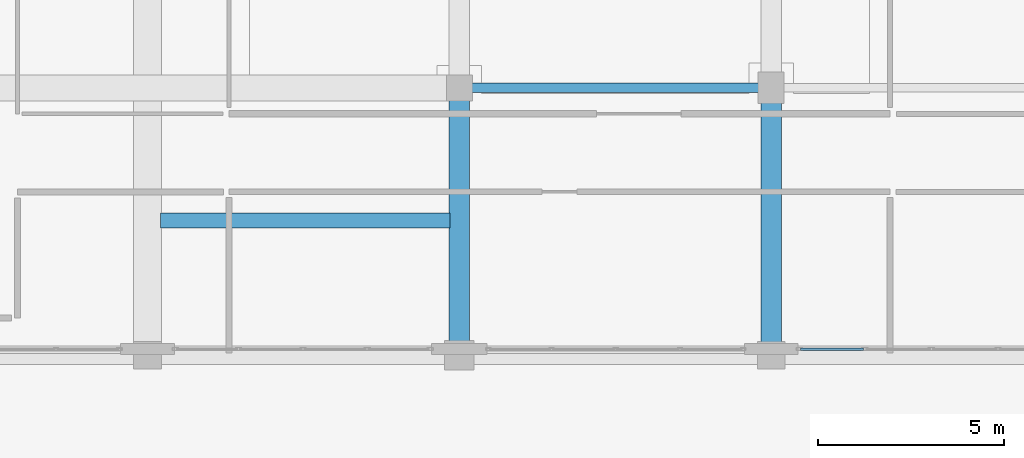
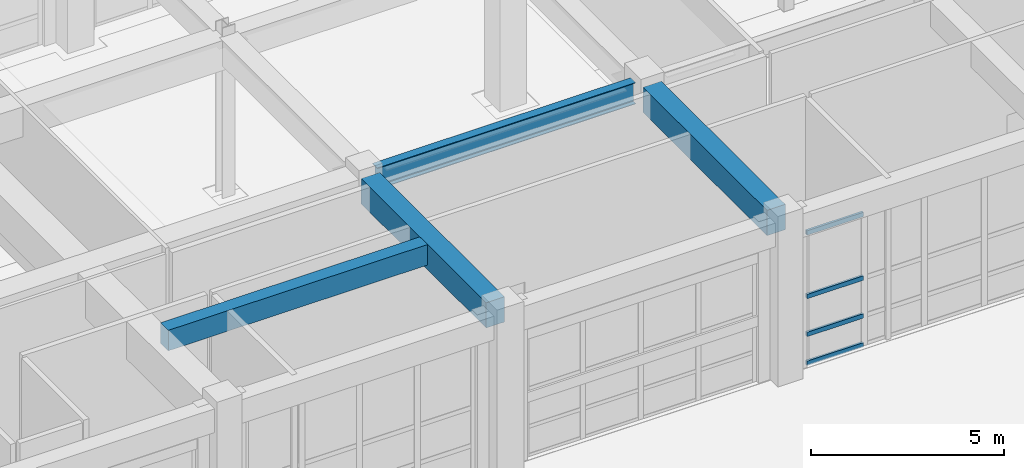
# One storey, part 97 of 148: 4 beams, 4 members, 1 element without a shape of its own.
"""IFC4 building model written with IfcOpenShell, lengths in metres."""

from ifc_helpers import new_model, si_unit, direction, frame, origin, origin_2d, place, context, subcontext, project, spatial, rectangle, hollow_rectangle, i_section, extrude, material, layer, layer_set, material_profile, profile_set, type_object, element, aggregate, save


model = new_model("IFC4")

# Units and contexts
model_context = context("Model", 3, precision=1e-05, world=origin(), true_north=direction((0.0, 1.0)))
body_context = subcontext(model_context, "Body", "Model", "MODEL_VIEW")
ifc_project = project(units=[si_unit("LENGTHUNIT", "METRE"), si_unit("AREAUNIT", "SQUARE_METRE"), si_unit("VOLUMEUNIT", "CUBIC_METRE"), si_unit("PLANEANGLEUNIT", "RADIAN"), si_unit("MASSUNIT", "GRAM", prefix="KILO")], contexts=[model_context])

# Site, building, storey
site_placement = place(None, origin())
site = spatial("IfcSite", under=ifc_project, at=site_placement, CompositionType="ELEMENT")
building_placement = place(site_placement, origin())
building = spatial("IfcBuilding", under=site, at=building_placement, Name="Quendrovan Civic Courthouse", CompositionType="ELEMENT")
storey_placement = place(building_placement, origin())
storey = spatial("IfcBuildingStorey", under=building, at=storey_placement, Name="L01", CompositionType="ELEMENT", Elevation=0.0)

# Beams
ifc_material_1 = material(Name="Concrete C40/50", Category="concrete")
ifc_material_profile_1 = material_profile(ifc_material_1, rectangle(XDim=0.39990234375, YDim=0.64990234375, at=origin_2d()), Name="RC-BM-400x650")
ifc_profile_set_1 = profile_set([ifc_material_profile_1], Name="Concrete C40/50")
beam_type_1 = type_object("IfcBeamType", Name="BM-RC650", PredefinedType="JOIST", material=ifc_profile_set_1)
beam_1_placement = place(storey_placement, frame((126.35498046875, 91.22509765625, 4.794921875), z_axis=(1.0, 0.0, 0.0), x_axis=(0.0, 1.0, 0.0)))
element("IfcBeam", 1, at=beam_1_placement, inside=storey, type_object=beam_type_1, Name="L01 Secondary Joist 0480", PredefinedType="JOIST", context=body_context, shape_type="SweptSolid", body=[
    extrude(rectangle(XDim=0.39990234375, YDim=0.64990234375, at=origin_2d()), origin(), (0.0, 0.0, 1.0), 7.7900390625),
])
ifc_material_profile_2 = material_profile(ifc_material_1, rectangle(XDim=0.550048828125, YDim=0.800048828125, at=origin_2d()), Name="RC-BM-550x800")
ifc_profile_set_2 = profile_set([ifc_material_profile_2], Name="Concrete C40/50")
beam_type_2 = type_object("IfcBeamType", Name="BM-RC800", PredefinedType="BEAM", material=ifc_profile_set_2)
beam_2_placement = place(storey_placement, frame((134.39990234375, 87.97998046875, 4.719970703125), z_axis=(0.0, 1.0, 0.0), x_axis=(-1.0, 0.0, 0.0)))
element("IfcBeam", 2, at=beam_2_placement, inside=storey, type_object=beam_type_2, Name="L01 Girder Y0467", PredefinedType="BEAM", context=body_context, shape_type="SweptSolid", body=[
    extrude(rectangle(XDim=0.550048828125, YDim=0.800048828125, at=origin_2d()), origin(), (0.0, 0.0, 1.0), 6.489990234375),
])
beam_3_placement = place(storey_placement, frame((142.800048828125, 87.955078125, 4.719970703125), z_axis=(0.0, 1.0, 0.0), x_axis=(-1.0, 0.0, 0.0)))
element("IfcBeam", 3, at=beam_3_placement, inside=storey, type_object=beam_type_2, Name="L01 Girder Y0470", PredefinedType="BEAM", context=body_context, shape_type="SweptSolid", body=[
    extrude(rectangle(XDim=0.550048828125, YDim=0.800048828125, at=origin_2d()), origin(), (0.0, 0.0, 1.0), 6.43994140625),
])
ifc_material_2 = material(Name="Steel ASTM A992 Grade 50", Category="steel")
ifc_material_profile_3 = material_profile(ifc_material_2, i_section(OverallWidth=0.25390625, OverallDepth=0.68408203125, WebThickness=0.012451171875, FlangeThickness=0.018798828125, at=origin_2d()), Name="W27X94")
ifc_profile_set_3 = profile_set([ifc_material_profile_3], Name="Steel ASTM A992 Grade 50")
beam_type_3 = type_object("IfcBeamType", Name="BM-STL-W27", PredefinedType="BEAM", material=ifc_profile_set_3)
beam_4_placement = place(storey_placement, frame((134.72998046875, 94.800048828125, 4.778076171875), z_axis=(1.0, 0.0, 0.0), x_axis=(0.0, 1.0, 0.0)))
element("IfcBeam", 4, at=beam_4_placement, inside=storey, type_object=beam_type_3, Name="L01 Girder X0337", PredefinedType="BEAM", context=body_context, shape_type="SweptSolid", body=[
    extrude(i_section(OverallWidth=0.25390625, OverallDepth=0.68408203125, WebThickness=0.012451171875, FlangeThickness=0.018798828125, at=origin_2d()), origin(), (0.0, 0.0, 1.0), 7.739990234375),
])

# Curtain wall, members
ifc_material_3 = material(Name="Bronze anodised aluminium and low-E glass", Category="aluminium")
ifc_layer = layer(ifc_material_3, 0.179931640625, Name="Bronze anodised aluminium and low-E glass")
ifc_layer_set = layer_set([ifc_layer], Name="Bronze anodised aluminium and low-E glass")
curtain_wall_type = type_object("IfcCurtainWallType", Name="CW-U72x42", PredefinedType="USERDEFINED", material=ifc_layer_set)
curtain_wall_placement = place(storey_placement, origin())
curtain_wall = element("IfcCurtainWall", 5, at=curtain_wall_placement, inside=storey, type_object=curtain_wall_type, Name="L01 Unitised Hurricane Curtain Wall CW-044", ObjectType="UNITISED CURTAIN WALL", PredefinedType="USERDEFINED")
ifc_material_4 = material(Name="Bronze anodised aluminium", Category="aluminium")
ifc_material_profile_4 = material_profile(ifc_material_4, hollow_rectangle(XDim=0.070068359375, YDim=0.139892578125, WallThickness=0.00390625, at=origin_2d()), Name="CW-TRAN-70x140")
ifc_profile_set_4 = profile_set([ifc_material_profile_4], Name="Bronze anodised aluminium")
member_type = type_object("IfcMemberType", Name="CW-TRAN-A", PredefinedType="USERDEFINED", material=ifc_profile_set_4)
member_1_placement = place(storey_placement, frame((145.28369140625, 87.764892578125, 0.034912109375), z_axis=(-1.0, 0.0, 0.0), x_axis=(0.0, -1.0, 0.0)))
member_1 = element("IfcMember", 6, at=member_1_placement, type_object=member_type, Name="CW-044 transom 4.1", ObjectType="TRANSOM", PredefinedType="USERDEFINED", context=body_context, shape_type="SweptSolid", body=[
    extrude(hollow_rectangle(XDim=0.070068359375, YDim=0.139892578125, WallThickness=0.00390625, at=origin_2d()), origin(), (0.0, 0.0, 1.0), 1.688720703125),
])
member_2_placement = place(storey_placement, frame((145.28369140625, 87.764892578125, 0.949951171875), z_axis=(-1.0, 0.0, 0.0), x_axis=(0.0, -1.0, 0.0)))
member_2 = element("IfcMember", 7, at=member_2_placement, type_object=member_type, Name="CW-044 transom 4.2", ObjectType="TRANSOM", PredefinedType="USERDEFINED", context=body_context, shape_type="SweptSolid", body=[
    extrude(hollow_rectangle(XDim=0.070068359375, YDim=0.139892578125, WallThickness=0.00390625, at=origin_2d()), origin(), (0.0, 0.0, 1.0), 1.688720703125),
])
member_3_placement = place(storey_placement, frame((145.28369140625, 87.764892578125, 2.14990234375), z_axis=(-1.0, 0.0, 0.0), x_axis=(0.0, -1.0, 0.0)))
member_3 = element("IfcMember", 8, at=member_3_placement, type_object=member_type, Name="CW-044 transom 4.3", ObjectType="TRANSOM", PredefinedType="USERDEFINED", context=body_context, shape_type="SweptSolid", body=[
    extrude(hollow_rectangle(XDim=0.070068359375, YDim=0.139892578125, WallThickness=0.00390625, at=origin_2d()), origin(), (0.0, 0.0, 1.0), 1.688720703125),
])
member_4_placement = place(storey_placement, frame((145.28369140625, 87.764892578125, 4.1650390625), z_axis=(-1.0, 0.0, 0.0), x_axis=(0.0, -1.0, 0.0)))
member_4 = element("IfcMember", 9, at=member_4_placement, type_object=member_type, Name="CW-044 transom 4.4", ObjectType="TRANSOM", PredefinedType="USERDEFINED", context=body_context, shape_type="SweptSolid", body=[
    extrude(hollow_rectangle(XDim=0.070068359375, YDim=0.139892578125, WallThickness=0.00390625, at=origin_2d()), origin(), (0.0, 0.0, 1.0), 1.688720703125),
])
aggregate(curtain_wall, [member_1, member_2, member_3, member_4])

save(model, "model.ifc")
